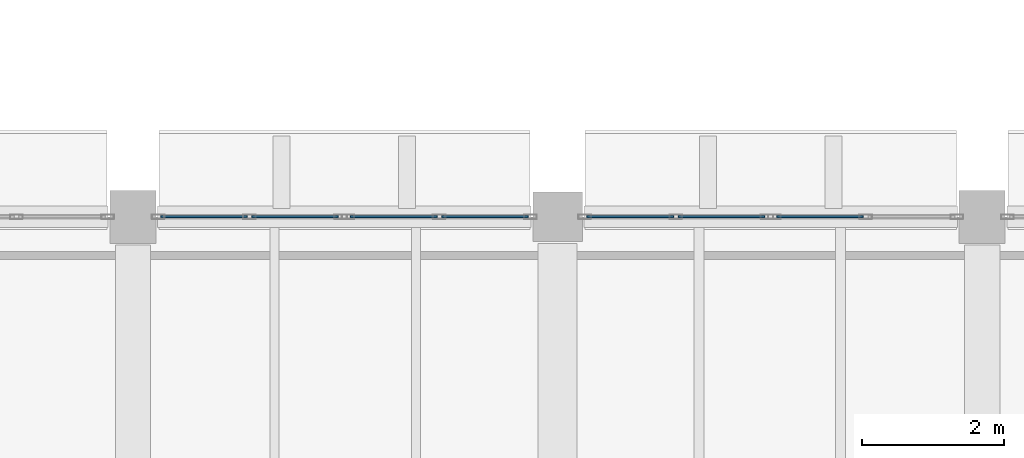
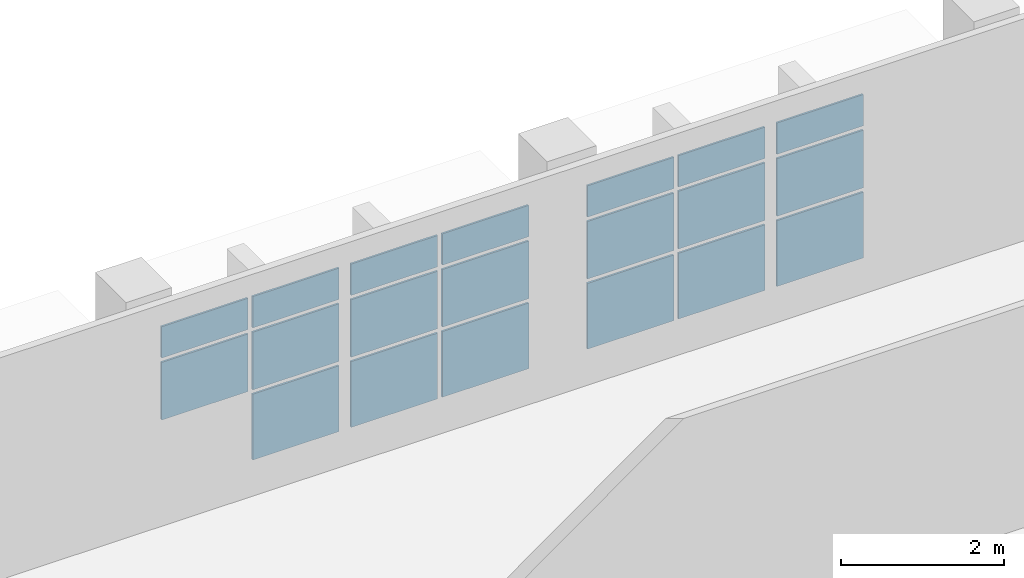
# One storey, part 50 of 75: 20 plates, 4 elements without a shape of their own.
"""IFC4 building model written with IfcOpenShell, lengths in metres."""

from ifc_helpers import new_model, si_unit, direction, frame, origin, origin_2d, place, context, subcontext, project, spatial, rectangle, extrude, material, layer, layer_set, type_object, element, aggregate, save


model = new_model("IFC4")

# Units and contexts
model_context = context("Model", 3, precision=1e-05, world=origin(), true_north=direction((0.0, 1.0)))
body_context = subcontext(model_context, "Body", "Model", "MODEL_VIEW")
ifc_project = project(units=[si_unit("LENGTHUNIT", "METRE"), si_unit("AREAUNIT", "SQUARE_METRE"), si_unit("VOLUMEUNIT", "CUBIC_METRE"), si_unit("PLANEANGLEUNIT", "RADIAN"), si_unit("MASSUNIT", "GRAM", prefix="KILO")], contexts=[model_context])

# Site, building, storey
site_placement = place(None, origin())
site = spatial("IfcSite", under=ifc_project, at=site_placement, CompositionType="ELEMENT")
building_placement = place(site_placement, origin())
building = spatial("IfcBuilding", under=site, at=building_placement, Name="Varnakota Cinema and Media Centre", CompositionType="ELEMENT")
storey_placement = place(building_placement, frame((0.0, 0.0, 8.39990234375)))
storey = spatial("IfcBuildingStorey", under=building, at=storey_placement, Name="L02", CompositionType="ELEMENT", Elevation=8.39990234375)

# Curtain wall, plates
ifc_material_1 = material(Name="Thermally broken anodised aluminium AW-6063", Category="aluminium")
curtain_wall_type = type_object("IfcCurtainWallType", Name="CW-STD-264x258", PredefinedType="USERDEFINED", material=ifc_material_1)
curtain_wall_1_placement = place(storey_placement, origin())
curtain_wall_1 = element("IfcCurtainWall", 1, at=curtain_wall_1_placement, inside=storey, type_object=curtain_wall_type, Name="L02 curtain wall CW-L02-V1-N-08-1", ObjectType="UNITISED CURTAIN WALL", PredefinedType="USERDEFINED")
ifc_material_2 = material(Name="Laminated solar-control double glazing", Category="glass")
ifc_layer = layer(ifc_material_2, 0.028076171875)
ifc_layer_set = layer_set([ifc_layer], Name="Laminated solar-control double glazing")
plate_type = type_object("IfcPlateType", Name="CWP-DGU-28", PredefinedType="CURTAIN_PANEL", material=ifc_layer_set)
plate_1_placement = place(storey_placement, frame((118.001953125, 44.0, 1.1142578125), z_axis=(0.0, 0.0, 1.0), x_axis=(1.0, 0.0, 0.0)))
plate_1 = element("IfcPlate", 2, at=plate_1_placement, type_object=plate_type, Name="CW29 panel 1.2", PredefinedType="CURTAIN_PANEL", context=body_context, shape_type="SweptSolid", body=[
    extrude(rectangle(XDim=1.2236328125, YDim=0.028076171875, at=origin_2d()), origin(), (0.0, 0.0, 1.0), 0.862060546875),
])
plate_2_placement = place(storey_placement, frame((118.001953125, 44.0, 2.041015625), z_axis=(0.0, 0.0, 1.0), x_axis=(1.0, 0.0, 0.0)))
plate_2 = element("IfcPlate", 3, at=plate_2_placement, type_object=plate_type, Name="CW29 panel 1.3", PredefinedType="CURTAIN_PANEL", context=body_context, shape_type="SweptSolid", body=[
    extrude(rectangle(XDim=1.2236328125, YDim=0.028076171875, at=origin_2d()), origin(), (0.0, 0.0, 1.0), 0.468994140625),
])
plate_3_placement = place(storey_placement, frame((119.29052734375, 44.0, 0.065185546875), z_axis=(0.0, 0.0, 1.0), x_axis=(1.0, 0.0, 0.0)))
plate_3 = element("IfcPlate", 4, at=plate_3_placement, type_object=plate_type, Name="CW29 panel 2.1", PredefinedType="CURTAIN_PANEL", context=body_context, shape_type="SweptSolid", body=[
    extrude(rectangle(XDim=1.2236328125, YDim=0.028076171875, at=origin_2d()), origin(), (0.0, 0.0, 1.0), 0.98388671875),
])
plate_4_placement = place(storey_placement, frame((119.29052734375, 44.0, 1.1142578125), z_axis=(0.0, 0.0, 1.0), x_axis=(1.0, 0.0, 0.0)))
plate_4 = element("IfcPlate", 5, at=plate_4_placement, type_object=plate_type, Name="CW29 panel 2.2", PredefinedType="CURTAIN_PANEL", context=body_context, shape_type="SweptSolid", body=[
    extrude(rectangle(XDim=1.2236328125, YDim=0.028076171875, at=origin_2d()), origin(), (0.0, 0.0, 1.0), 0.862060546875),
])
plate_5_placement = place(storey_placement, frame((119.29052734375, 44.0, 2.041015625), z_axis=(0.0, 0.0, 1.0), x_axis=(1.0, 0.0, 0.0)))
plate_5 = element("IfcPlate", 6, at=plate_5_placement, type_object=plate_type, Name="CW29 panel 2.3", PredefinedType="CURTAIN_PANEL", context=body_context, shape_type="SweptSolid", body=[
    extrude(rectangle(XDim=1.2236328125, YDim=0.028076171875, at=origin_2d()), origin(), (0.0, 0.0, 1.0), 0.468994140625),
])
aggregate(curtain_wall_1, [plate_1, plate_2, plate_3, plate_4, plate_5])

curtain_wall_2_placement = place(storey_placement, origin())
curtain_wall_2 = element("IfcCurtainWall", 7, at=curtain_wall_2_placement, inside=storey, type_object=curtain_wall_type, Name="L02 curtain wall CW-L02-V1-N-08-2", ObjectType="UNITISED CURTAIN WALL", PredefinedType="USERDEFINED")
plate_6_placement = place(storey_placement, frame((120.684326171875, 44.0, 0.065185546875), z_axis=(0.0, 0.0, 1.0), x_axis=(1.0, 0.0, 0.0)))
plate_6 = element("IfcPlate", 8, at=plate_6_placement, type_object=plate_type, Name="CW29 panel 1.1", PredefinedType="CURTAIN_PANEL", context=body_context, shape_type="SweptSolid", body=[
    extrude(rectangle(XDim=1.2236328125, YDim=0.028076171875, at=origin_2d()), origin(), (0.0, 0.0, 1.0), 0.98388671875),
])
plate_7_placement = place(storey_placement, frame((120.684326171875, 44.0, 1.1142578125), z_axis=(0.0, 0.0, 1.0), x_axis=(1.0, 0.0, 0.0)))
plate_7 = element("IfcPlate", 9, at=plate_7_placement, type_object=plate_type, Name="CW29 panel 1.2", PredefinedType="CURTAIN_PANEL", context=body_context, shape_type="SweptSolid", body=[
    extrude(rectangle(XDim=1.2236328125, YDim=0.028076171875, at=origin_2d()), origin(), (0.0, 0.0, 1.0), 0.862060546875),
])
plate_8_placement = place(storey_placement, frame((120.684326171875, 44.0, 2.041015625), z_axis=(0.0, 0.0, 1.0), x_axis=(1.0, 0.0, 0.0)))
plate_8 = element("IfcPlate", 10, at=plate_8_placement, type_object=plate_type, Name="CW29 panel 1.3", PredefinedType="CURTAIN_PANEL", context=body_context, shape_type="SweptSolid", body=[
    extrude(rectangle(XDim=1.2236328125, YDim=0.028076171875, at=origin_2d()), origin(), (0.0, 0.0, 1.0), 0.468994140625),
])
plate_9_placement = place(storey_placement, frame((121.97314453125, 44.0, 0.065185546875), z_axis=(0.0, 0.0, 1.0), x_axis=(1.0, 0.0, 0.0)))
plate_9 = element("IfcPlate", 11, at=plate_9_placement, type_object=plate_type, Name="CW29 panel 2.1", PredefinedType="CURTAIN_PANEL", context=body_context, shape_type="SweptSolid", body=[
    extrude(rectangle(XDim=1.2236328125, YDim=0.028076171875, at=origin_2d()), origin(), (0.0, 0.0, 1.0), 0.98388671875),
])
plate_10_placement = place(storey_placement, frame((121.97314453125, 44.0, 1.1142578125), z_axis=(0.0, 0.0, 1.0), x_axis=(1.0, 0.0, 0.0)))
plate_10 = element("IfcPlate", 12, at=plate_10_placement, type_object=plate_type, Name="CW29 panel 2.2", PredefinedType="CURTAIN_PANEL", context=body_context, shape_type="SweptSolid", body=[
    extrude(rectangle(XDim=1.2236328125, YDim=0.028076171875, at=origin_2d()), origin(), (0.0, 0.0, 1.0), 0.862060546875),
])
plate_11_placement = place(storey_placement, frame((121.97314453125, 44.0, 2.041015625), z_axis=(0.0, 0.0, 1.0), x_axis=(1.0, 0.0, 0.0)))
plate_11 = element("IfcPlate", 13, at=plate_11_placement, type_object=plate_type, Name="CW29 panel 2.3", PredefinedType="CURTAIN_PANEL", context=body_context, shape_type="SweptSolid", body=[
    extrude(rectangle(XDim=1.2236328125, YDim=0.028076171875, at=origin_2d()), origin(), (0.0, 0.0, 1.0), 0.468994140625),
])
aggregate(curtain_wall_2, [plate_6, plate_7, plate_8, plate_9, plate_10, plate_11])

curtain_wall_3_placement = place(storey_placement, origin())
curtain_wall_3 = element("IfcCurtainWall", 14, at=curtain_wall_3_placement, inside=storey, type_object=curtain_wall_type, Name="L02 curtain wall CW-L02-V1-N-09-1", ObjectType="UNITISED CURTAIN WALL", PredefinedType="USERDEFINED")
plate_12_placement = place(storey_placement, frame((124.02685546875, 44.0, 0.065185546875), z_axis=(0.0, 0.0, 1.0), x_axis=(1.0, 0.0, 0.0)))
plate_12 = element("IfcPlate", 15, at=plate_12_placement, type_object=plate_type, Name="CW29 panel 1.1", PredefinedType="CURTAIN_PANEL", context=body_context, shape_type="SweptSolid", body=[
    extrude(rectangle(XDim=1.2236328125, YDim=0.028076171875, at=origin_2d()), origin(), (0.0, 0.0, 1.0), 0.98388671875),
])
plate_13_placement = place(storey_placement, frame((124.02685546875, 44.0, 1.1142578125), z_axis=(0.0, 0.0, 1.0), x_axis=(1.0, 0.0, 0.0)))
plate_13 = element("IfcPlate", 16, at=plate_13_placement, type_object=plate_type, Name="CW29 panel 1.2", PredefinedType="CURTAIN_PANEL", context=body_context, shape_type="SweptSolid", body=[
    extrude(rectangle(XDim=1.2236328125, YDim=0.028076171875, at=origin_2d()), origin(), (0.0, 0.0, 1.0), 0.862060546875),
])
plate_14_placement = place(storey_placement, frame((124.02685546875, 44.0, 2.041015625), z_axis=(0.0, 0.0, 1.0), x_axis=(1.0, 0.0, 0.0)))
plate_14 = element("IfcPlate", 17, at=plate_14_placement, type_object=plate_type, Name="CW29 panel 1.3", PredefinedType="CURTAIN_PANEL", context=body_context, shape_type="SweptSolid", body=[
    extrude(rectangle(XDim=1.2236328125, YDim=0.028076171875, at=origin_2d()), origin(), (0.0, 0.0, 1.0), 0.468994140625),
])
plate_15_placement = place(storey_placement, frame((125.315673828125, 44.0, 0.065185546875), z_axis=(0.0, 0.0, 1.0), x_axis=(1.0, 0.0, 0.0)))
plate_15 = element("IfcPlate", 18, at=plate_15_placement, type_object=plate_type, Name="CW29 panel 2.1", PredefinedType="CURTAIN_PANEL", context=body_context, shape_type="SweptSolid", body=[
    extrude(rectangle(XDim=1.2236328125, YDim=0.028076171875, at=origin_2d()), origin(), (0.0, 0.0, 1.0), 0.98388671875),
])
plate_16_placement = place(storey_placement, frame((125.315673828125, 44.0, 1.1142578125), z_axis=(0.0, 0.0, 1.0), x_axis=(1.0, 0.0, 0.0)))
plate_16 = element("IfcPlate", 19, at=plate_16_placement, type_object=plate_type, Name="CW29 panel 2.2", PredefinedType="CURTAIN_PANEL", context=body_context, shape_type="SweptSolid", body=[
    extrude(rectangle(XDim=1.2236328125, YDim=0.028076171875, at=origin_2d()), origin(), (0.0, 0.0, 1.0), 0.862060546875),
])
plate_17_placement = place(storey_placement, frame((125.315673828125, 44.0, 2.041015625), z_axis=(0.0, 0.0, 1.0), x_axis=(1.0, 0.0, 0.0)))
plate_17 = element("IfcPlate", 20, at=plate_17_placement, type_object=plate_type, Name="CW29 panel 2.3", PredefinedType="CURTAIN_PANEL", context=body_context, shape_type="SweptSolid", body=[
    extrude(rectangle(XDim=1.2236328125, YDim=0.028076171875, at=origin_2d()), origin(), (0.0, 0.0, 1.0), 0.468994140625),
])
aggregate(curtain_wall_3, [plate_12, plate_13, plate_14, plate_15, plate_16, plate_17])

curtain_wall_4_placement = place(storey_placement, origin())
curtain_wall_4 = element("IfcCurtainWall", 21, at=curtain_wall_4_placement, inside=storey, type_object=curtain_wall_type, Name="L02 curtain wall CW-L02-V1-N-09-2", ObjectType="UNITISED CURTAIN WALL", PredefinedType="USERDEFINED")
plate_18_placement = place(storey_placement, frame((126.70947265625, 44.0, 0.065185546875), z_axis=(0.0, 0.0, 1.0), x_axis=(1.0, 0.0, 0.0)))
plate_18 = element("IfcPlate", 22, at=plate_18_placement, type_object=plate_type, Name="CW29 panel 1.1", PredefinedType="CURTAIN_PANEL", context=body_context, shape_type="SweptSolid", body=[
    extrude(rectangle(XDim=1.2236328125, YDim=0.028076171875, at=origin_2d()), origin(), (0.0, 0.0, 1.0), 0.98388671875),
])
plate_19_placement = place(storey_placement, frame((126.70947265625, 44.0, 1.1142578125), z_axis=(0.0, 0.0, 1.0), x_axis=(1.0, 0.0, 0.0)))
plate_19 = element("IfcPlate", 23, at=plate_19_placement, type_object=plate_type, Name="CW29 panel 1.2", PredefinedType="CURTAIN_PANEL", context=body_context, shape_type="SweptSolid", body=[
    extrude(rectangle(XDim=1.2236328125, YDim=0.028076171875, at=origin_2d()), origin(), (0.0, 0.0, 1.0), 0.862060546875),
])
plate_20_placement = place(storey_placement, frame((126.70947265625, 44.0, 2.041015625), z_axis=(0.0, 0.0, 1.0), x_axis=(1.0, 0.0, 0.0)))
plate_20 = element("IfcPlate", 24, at=plate_20_placement, type_object=plate_type, Name="CW29 panel 1.3", PredefinedType="CURTAIN_PANEL", context=body_context, shape_type="SweptSolid", body=[
    extrude(rectangle(XDim=1.2236328125, YDim=0.028076171875, at=origin_2d()), origin(), (0.0, 0.0, 1.0), 0.468994140625),
])
aggregate(curtain_wall_4, [plate_18, plate_19, plate_20])

save(model, "model.ifc")
